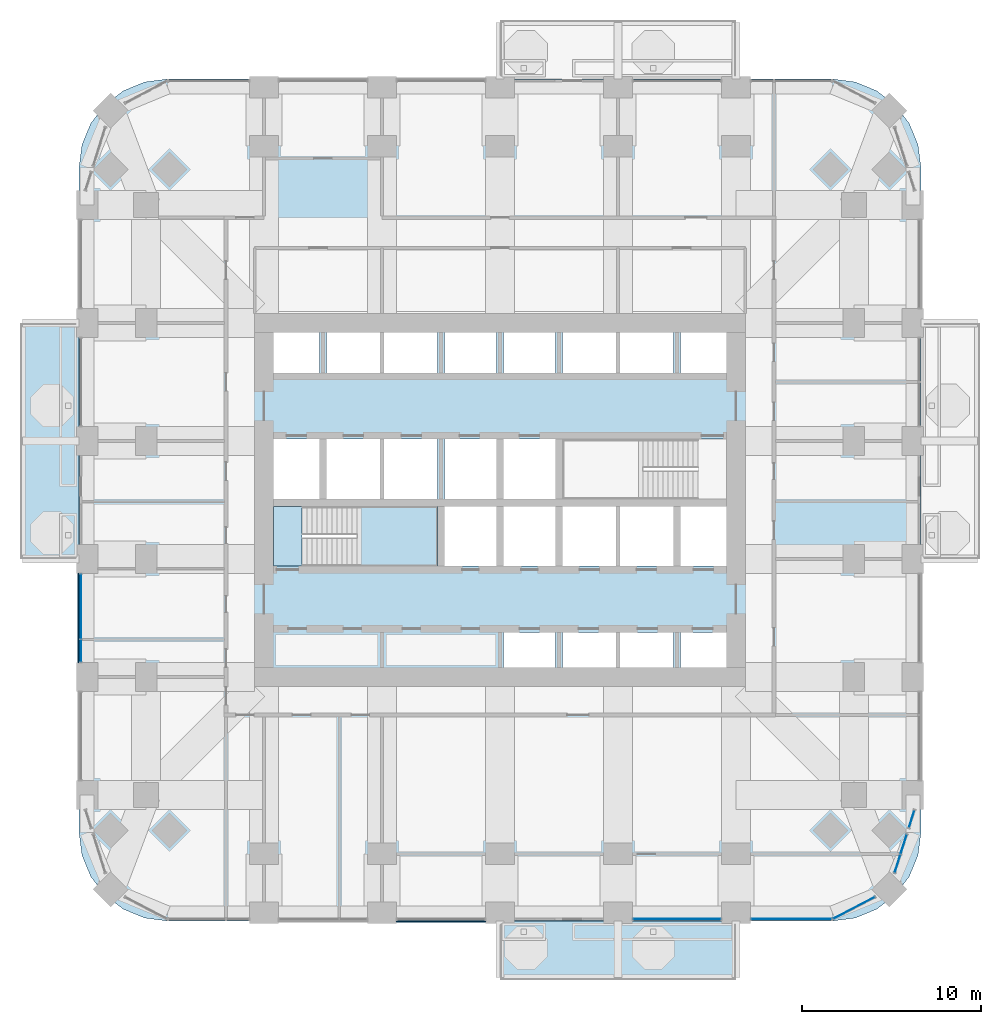
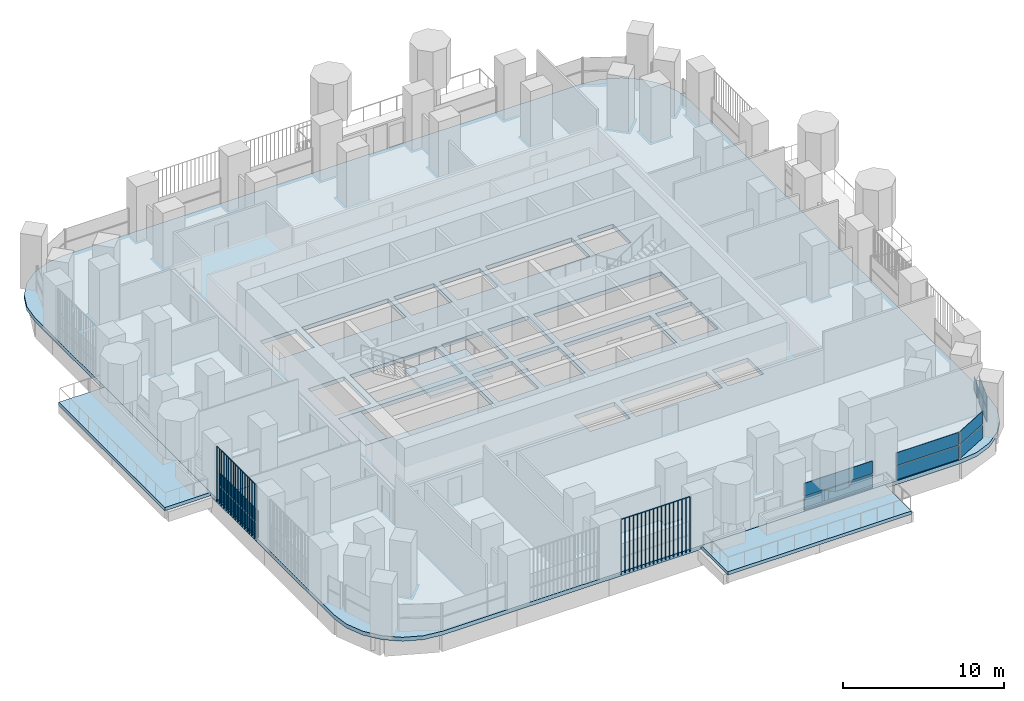
# One storey, part 10 of 22: 17 plates, 5 slabs, 7 elements without a shape of their own.
"""IFC4 building model written with IfcOpenShell, lengths in metres."""

from ifc_helpers import new_model, si_unit, direction, frame, origin, origin_2d, place, context, subcontext, project, spatial, polyline, rectangle, outline, extrude, material, layer, layer_set, type_object, element, aggregate, save


model = new_model("IFC4")

# Units and contexts
model_context = context("Model", 3, precision=1e-05, world=origin(), true_north=direction((0.0, 1.0)))
body_context = subcontext(model_context, "Body", "Model", "MODEL_VIEW")
ifc_project = project(units=[si_unit("LENGTHUNIT", "METRE"), si_unit("AREAUNIT", "SQUARE_METRE"), si_unit("VOLUMEUNIT", "CUBIC_METRE"), si_unit("PLANEANGLEUNIT", "RADIAN"), si_unit("MASSUNIT", "GRAM", prefix="KILO")], contexts=[model_context])

# Site, building, storey
site_placement = place(None, origin())
site = spatial("IfcSite", under=ifc_project, at=site_placement, CompositionType="ELEMENT")
building_placement = place(site_placement, origin())
building = spatial("IfcBuilding", under=site, at=building_placement, Name="Cobogo Forest Laboratory Tower", CompositionType="ELEMENT")
storey_placement = place(building_placement, frame((0.0, 0.0, 145.199951171875)))
storey = spatial("IfcBuildingStorey", under=building, at=storey_placement, Name="L33", CompositionType="ELEMENT", Elevation=145.199951171875)

# Slabs
ifc_material_1 = material(Name="Concrete HA-40 (C40/50)", Category="concrete")
ifc_layer_1 = layer(ifc_material_1, 0.25)
ifc_layer_set_1 = layer_set([ifc_layer_1], Name="Balcony slab 250")
slab_type_1 = type_object("IfcSlabType", Name="Balcony slab 250", PredefinedType="FLOOR", material=ifc_layer_set_1)
slab_1_placement = place(storey_placement, frame((0.0, 0.0, -0.25)))
element("IfcSlab", 1, at=slab_1_placement, inside=storey, type_object=slab_type_1, Name="Balcony BAL-S1 L33", PredefinedType="FLOOR", context=body_context, shape_type="SweptSolid", body=[
    extrude(outline(polyline([(26.39990234375, -3.75), (39.60009765625, -3.75), (39.60009765625, -0.449951171875), (26.39990234375, -0.449951171875), (26.39990234375, -3.75)])), origin(), (0.0, 0.0, 1.0), 0.25),
])
slab_2_placement = place(storey_placement, frame((0.0, 0.0, -0.25)))
element("IfcSlab", 2, at=slab_2_placement, inside=storey, type_object=slab_type_1, Name="Balcony BAL-W1 L33", PredefinedType="FLOOR", context=body_context, shape_type="SweptSolid", body=[
    extrude(outline(polyline([(-0.449951171875, 19.800048828125), (2.85009765625, 19.800048828125), (2.85009765625, 33.0), (-0.449951171875, 33.0), (-0.449951171875, 19.800048828125)])), origin(), (0.0, 0.0, 1.0), 0.25),
])
ifc_layer_2 = layer(ifc_material_1, 0.300048828125)
ifc_layer_set_2 = layer_set([ifc_layer_2], Name="Floor slab 300")
slab_type_2 = type_object("IfcSlabType", Name="Floor slab 300", PredefinedType="FLOOR", material=ifc_layer_set_2)
slab_3_placement = place(storey_placement, frame((0.0, 0.0, -0.300048828125)))
element("IfcSlab", 3, at=slab_3_placement, inside=storey, type_object=slab_type_2, Name="L33 floor slab", PredefinedType="FLOOR", context=body_context, shape_type="SweptSolid", body=[
    extrude(outline(polyline([(45.0, -0.449951171875), (46.28125, -0.28125), (47.47509765625, 0.213134765625), (48.500244140625, 0.999755859375), (49.286865234375, 2.02490234375), (49.78125, 3.21875), (49.949951171875, 4.5), (49.949951171875, 41.699951171875), (49.78125, 42.981201171875), (49.286865234375, 44.175048828125), (48.500244140625, 45.2001953125), (47.47509765625, 45.98681640625), (46.28125, 46.4814453125), (45.0, 46.64990234375), (7.800048828125, 46.64990234375), (6.518798828125, 46.4814453125), (5.324951171875, 45.98681640625), (4.2998046875, 45.2001953125), (3.51318359375, 44.175048828125), (3.0185546875, 42.981201171875), (2.85009765625, 41.699951171875), (2.85009765625, 4.5), (3.0185546875, 3.21875), (3.51318359375, 2.02490234375), (4.2998046875, 0.999755859375), (5.324951171875, 0.213134765625), (6.518798828125, -0.28125), (7.800048828125, -0.449951171875), (45.0, -0.449951171875)]), holes=[polyline([(29.5, 13.72509765625), (26.60009765625, 13.72509765625), (26.60009765625, 15.699951171875), (29.5, 15.699951171875), (29.5, 13.72509765625)]), polyline([(36.10009765625, 15.699951171875), (36.10009765625, 13.72509765625), (29.89990234375, 13.72509765625), (29.89990234375, 15.699951171875), (36.10009765625, 15.699951171875)]), polyline([(36.5, 13.72509765625), (36.5, 15.699951171875), (39.074951171875, 15.699951171875), (39.074951171875, 13.72509765625), (36.5, 13.72509765625)]), polyline([(13.72509765625, 19.39990234375), (13.72509765625, 22.75), (22.89990234375, 22.75), (22.89990234375, 19.39990234375), (13.72509765625, 19.39990234375)]), polyline([(23.300048828125, 19.39990234375), (23.300048828125, 22.75), (26.199951171875, 22.75), (26.199951171875, 19.39990234375), (23.300048828125, 19.39990234375)]), polyline([(29.5, 19.39990234375), (26.60009765625, 19.39990234375), (26.60009765625, 22.75), (29.5, 22.75), (29.5, 19.39990234375)]), polyline([(36.10009765625, 22.75), (36.10009765625, 19.39990234375), (29.89990234375, 19.39990234375), (29.89990234375, 22.75), (36.10009765625, 22.75)]), polyline([(39.074951171875, 19.39990234375), (36.5, 19.39990234375), (36.5, 22.75), (39.074951171875, 22.75), (39.074951171875, 19.39990234375)]), polyline([(16.300048828125, 23.14990234375), (13.72509765625, 23.14990234375), (13.72509765625, 26.5), (16.300048828125, 26.5), (16.300048828125, 23.14990234375)]), polyline([(22.89990234375, 26.5), (22.89990234375, 23.14990234375), (16.699951171875, 23.14990234375), (16.699951171875, 26.5), (22.89990234375, 26.5)]), polyline([(26.199951171875, 23.14990234375), (23.300048828125, 23.14990234375), (23.300048828125, 26.5), (26.199951171875, 26.5), (26.199951171875, 23.14990234375)]), polyline([(26.60009765625, 23.14990234375), (26.60009765625, 26.5), (29.5, 26.5), (29.5, 23.14990234375), (26.60009765625, 23.14990234375)]), polyline([(29.89990234375, 23.14990234375), (29.89990234375, 26.5), (39.074951171875, 26.5), (39.074951171875, 23.14990234375), (29.89990234375, 23.14990234375)]), polyline([(13.72509765625, 30.199951171875), (13.72509765625, 32.47509765625), (16.300048828125, 32.47509765625), (16.300048828125, 30.199951171875), (13.72509765625, 30.199951171875)]), polyline([(22.89990234375, 32.47509765625), (22.89990234375, 30.199951171875), (16.699951171875, 30.199951171875), (16.699951171875, 32.47509765625), (22.89990234375, 32.47509765625)]), polyline([(23.300048828125, 30.199951171875), (23.300048828125, 32.47509765625), (26.199951171875, 32.47509765625), (26.199951171875, 30.199951171875), (23.300048828125, 30.199951171875)]), polyline([(26.60009765625, 30.199951171875), (26.60009765625, 32.47509765625), (29.5, 32.47509765625), (29.5, 30.199951171875), (26.60009765625, 30.199951171875)]), polyline([(36.10009765625, 32.47509765625), (36.10009765625, 30.199951171875), (29.89990234375, 30.199951171875), (29.89990234375, 32.47509765625), (36.10009765625, 32.47509765625)]), polyline([(36.5, 30.199951171875), (36.5, 32.47509765625), (39.074951171875, 32.47509765625), (39.074951171875, 30.199951171875), (36.5, 30.199951171875)])]), origin(), (0.0, 0.0, 1.0), 0.300048828125),
])

# Curtain wall, plates
ifc_material_2 = material(Name="Aluminium curtain wall", Category="aluminium")
curtain_wall_type = type_object("IfcCurtainWallType", Name="CW-1 unitised curtain wall, clear glazing, laboratory floors zones A and B", PredefinedType="USERDEFINED", material=ifc_material_2)
curtain_wall_1_placement = place(storey_placement, origin())
curtain_wall_1 = element("IfcCurtainWall", 4, at=curtain_wall_1_placement, inside=storey, type_object=curtain_wall_type, Name="Curtain wall 05 L33", ObjectType="UNITISED CURTAIN WALL", PredefinedType="USERDEFINED")
ifc_material_3 = material(Name="Clear insulated glass", Category="glass")
ifc_layer_3 = layer(ifc_material_3, 0.028076171875)
ifc_layer_set_3 = layer_set([ifc_layer_3], Name="GP-1 clear insulated glass unit 28")
plate_type_1 = type_object("IfcPlateType", Name="GP-1 clear insulated glass unit 28", PredefinedType="CURTAIN_PANEL", material=ifc_layer_set_3)
plate_1_placement = place(storey_placement, frame((36.300048828125, -0.35009765625, 0.0), z_axis=(0.0, 0.0, 1.0), x_axis=(1.0, 0.0, 0.0)))
plate_1 = element("IfcPlate", 5, at=plate_1_placement, type_object=plate_type_1, Name="CW-1 panel 1.1", PredefinedType="CURTAIN_PANEL", context=body_context, shape_type="SweptSolid", body=[
    extrude(rectangle(XDim=4.8798828125, YDim=0.028076171875, at=origin_2d()), origin(), (0.0, 0.0, 1.0), 1.02001953125),
])
plate_2_placement = place(storey_placement, frame((36.300048828125, -0.35009765625, 1.080078125), z_axis=(0.0, 0.0, 1.0), x_axis=(1.0, 0.0, 0.0)))
plate_2 = element("IfcPlate", 6, at=plate_2_placement, type_object=plate_type_1, Name="CW-1 panel 1.2", PredefinedType="CURTAIN_PANEL", context=body_context, shape_type="SweptSolid", body=[
    extrude(rectangle(XDim=4.8798828125, YDim=0.028076171875, at=origin_2d()), origin(), (0.0, 0.0, 1.0), 0.969970703125),
])
aggregate(curtain_wall_1, [plate_1, plate_2])

curtain_wall_2_placement = place(storey_placement, origin())
curtain_wall_2 = element("IfcCurtainWall", 7, at=curtain_wall_2_placement, inside=storey, type_object=curtain_wall_type, Name="Curtain wall 06 L33", ObjectType="UNITISED CURTAIN WALL", PredefinedType="USERDEFINED")
plate_3_placement = place(storey_placement, frame((42.699951171875, -0.35009765625, 0.0), z_axis=(0.0, 0.0, 1.0), x_axis=(1.0, 0.0, 0.0)))
plate_3 = element("IfcPlate", 8, at=plate_3_placement, type_object=plate_type_1, Name="CW-1 panel 1.1", PredefinedType="CURTAIN_PANEL", context=body_context, shape_type="SweptSolid", body=[
    extrude(rectangle(XDim=4.47998046875, YDim=0.028076171875, at=origin_2d()), origin(), (0.0, 0.0, 1.0), 1.02001953125),
])
plate_4_placement = place(storey_placement, frame((42.699951171875, -0.35009765625, 1.080078125), z_axis=(0.0, 0.0, 1.0), x_axis=(1.0, 0.0, 0.0)))
plate_4 = element("IfcPlate", 9, at=plate_4_placement, type_object=plate_type_1, Name="CW-1 panel 1.2", PredefinedType="CURTAIN_PANEL", context=body_context, shape_type="SweptSolid", body=[
    extrude(rectangle(XDim=4.47998046875, YDim=0.028076171875, at=origin_2d()), origin(), (0.0, 0.0, 1.0), 0.969970703125),
])
aggregate(curtain_wall_2, [plate_3, plate_4])

curtain_wall_3_placement = place(storey_placement, origin())
curtain_wall_3 = element("IfcCurtainWall", 10, at=curtain_wall_3_placement, inside=storey, type_object=curtain_wall_type, Name="Curtain wall 07 L33", ObjectType="UNITISED CURTAIN WALL", PredefinedType="USERDEFINED")
plate_5_placement = place(storey_placement, frame((46.2060546875, 0.2822265625, 0.0), z_axis=(0.0, 0.0, 1.0), x_axis=(0.885686540666, 0.464283697413, 0.0)))
plate_5 = element("IfcPlate", 11, at=plate_5_placement, type_object=plate_type_1, Name="CW-1 panel 1.1", PredefinedType="CURTAIN_PANEL", context=body_context, shape_type="SweptSolid", body=[
    extrude(rectangle(XDim=2.603271484375, YDim=0.028076171875, at=origin_2d()), origin(), (0.0, 0.0, 1.0), 1.02001953125),
])
plate_6_placement = place(storey_placement, frame((46.2060546875, 0.2822265625, 1.080078125), z_axis=(0.0, 0.0, 1.0), x_axis=(0.885686540666, 0.464283697413, 0.0)))
plate_6 = element("IfcPlate", 12, at=plate_6_placement, type_object=plate_type_1, Name="CW-1 panel 1.2", PredefinedType="CURTAIN_PANEL", context=body_context, shape_type="SweptSolid", body=[
    extrude(rectangle(XDim=2.603271484375, YDim=0.028076171875, at=origin_2d()), origin(), (0.0, 0.0, 1.0), 0.969970703125),
])
aggregate(curtain_wall_3, [plate_5, plate_6])

curtain_wall_4_placement = place(storey_placement, origin())
curtain_wall_4 = element("IfcCurtainWall", 13, at=curtain_wall_4_placement, inside=storey, type_object=curtain_wall_type, Name="Curtain wall 08 L33", ObjectType="UNITISED CURTAIN WALL", PredefinedType="USERDEFINED")
plate_7_placement = place(storey_placement, frame((48.636474609375, 2.75732421875, 0.0), z_axis=(0.0, 0.0, 1.0), x_axis=(0.301135343623, 0.953581409645, 0.0)))
plate_7 = element("IfcPlate", 14, at=plate_7_placement, type_object=plate_type_1, Name="CW-1 panel 1.1", PredefinedType="CURTAIN_PANEL", context=body_context, shape_type="SweptSolid", body=[
    extrude(rectangle(XDim=1.027587890625, YDim=0.028076171875, at=origin_2d()), origin(), (0.0, 0.0, 1.0), 1.02001953125),
])
plate_8_placement = place(storey_placement, frame((48.636474609375, 2.75732421875, 1.080078125), z_axis=(0.0, 0.0, 1.0), x_axis=(0.301135343623, 0.953581409645, 0.0)))
plate_8 = element("IfcPlate", 15, at=plate_8_placement, type_object=plate_type_1, Name="CW-1 panel 1.2", PredefinedType="CURTAIN_PANEL", context=body_context, shape_type="SweptSolid", body=[
    extrude(rectangle(XDim=1.027587890625, YDim=0.028076171875, at=origin_2d()), origin(), (0.0, 0.0, 1.0), 0.969970703125),
])
plate_9_placement = place(storey_placement, frame((48.977294921875, 3.83642578125, 0.0), z_axis=(0.0, 0.0, 1.0), x_axis=(0.301135343623, 0.953581409645, 0.0)))
plate_9 = element("IfcPlate", 16, at=plate_9_placement, type_object=plate_type_1, Name="CW-1 panel 2.1", PredefinedType="CURTAIN_PANEL", context=body_context, shape_type="SweptSolid", body=[
    extrude(rectangle(XDim=1.11572265625, YDim=0.028076171875, at=origin_2d()), origin(), (0.0, 0.0, 1.0), 1.02001953125),
])
plate_10_placement = place(storey_placement, frame((48.977294921875, 3.83642578125, 1.080078125), z_axis=(0.0, 0.0, 1.0), x_axis=(0.301135343623, 0.953581409645, 0.0)))
plate_10 = element("IfcPlate", 17, at=plate_10_placement, type_object=plate_type_1, Name="CW-1 panel 2.2", PredefinedType="CURTAIN_PANEL", context=body_context, shape_type="SweptSolid", body=[
    extrude(rectangle(XDim=1.11572265625, YDim=0.028076171875, at=origin_2d()), origin(), (0.0, 0.0, 1.0), 0.969970703125),
])
aggregate(curtain_wall_4, [plate_7, plate_8, plate_9, plate_10])

# Curtain wall, plate
curtain_wall_5_placement = place(storey_placement, origin())
curtain_wall_5 = element("IfcCurtainWall", 18, at=curtain_wall_5_placement, inside=storey, type_object=curtain_wall_type, Name="Curtain wall 09 L33", ObjectType="UNITISED CURTAIN WALL", PredefinedType="USERDEFINED")
plate_11_placement = place(storey_placement, frame((49.426513671875, 5.259033203125, 0.0), z_axis=(0.0, 0.0, 1.0), x_axis=(0.3011355018, 0.953581359694, 0.0)))
plate_11 = element("IfcPlate", 19, at=plate_11_placement, type_object=plate_type_1, Name="CW-1 panel 1.1", PredefinedType="CURTAIN_PANEL", context=body_context, shape_type="SweptSolid", body=[
    extrude(rectangle(XDim=1.0146484375, YDim=0.028076171875, at=origin_2d()), origin(), (0.0, 0.0, 1.0), 1.02001953125),
])
aggregate(curtain_wall_5, [plate_11])

# Curtain wall, plates
curtain_wall_6_placement = place(storey_placement, origin())
curtain_wall_6 = element("IfcCurtainWall", 20, at=curtain_wall_6_placement, inside=storey, type_object=curtain_wall_type, Name="Curtain wall 30 L33", ObjectType="UNITISED CURTAIN WALL", PredefinedType="USERDEFINED")
plate_12_placement = place(storey_placement, frame((2.949951171875, 17.135009765625, 0.0), z_axis=(0.0, 0.0, 1.0), x_axis=(0.0, -1.0, 0.0)))
plate_12 = element("IfcPlate", 21, at=plate_12_placement, type_object=plate_type_1, Name="CW-1 panel 1.1", PredefinedType="CURTAIN_PANEL", context=body_context, shape_type="SweptSolid", body=[
    extrude(rectangle(XDim=3.610107421875, YDim=0.028076171875, at=origin_2d()), origin(), (0.0, 0.0, 1.0), 1.02001953125),
])
plate_13_placement = place(storey_placement, frame((2.949951171875, 17.135009765625, 1.080078125), z_axis=(0.0, 0.0, 1.0), x_axis=(0.0, -1.0, 0.0)))
plate_13 = element("IfcPlate", 22, at=plate_13_placement, type_object=plate_type_1, Name="CW-1 panel 1.2", PredefinedType="CURTAIN_PANEL", context=body_context, shape_type="SweptSolid", body=[
    extrude(rectangle(XDim=3.610107421875, YDim=0.028076171875, at=origin_2d()), origin(), (0.0, 0.0, 1.0), 0.969970703125),
])
plate_14_placement = place(storey_placement, frame((2.949951171875, 14.6650390625, 0.0), z_axis=(0.0, 0.0, 1.0), x_axis=(0.0, -1.0, 0.0)))
plate_14 = element("IfcPlate", 23, at=plate_14_placement, type_object=plate_type_1, Name="CW-1 panel 2.1", PredefinedType="CURTAIN_PANEL", context=body_context, shape_type="SweptSolid", body=[
    extrude(rectangle(XDim=1.2099609375, YDim=0.028076171875, at=origin_2d()), origin(), (0.0, 0.0, 1.0), 1.02001953125),
])
plate_15_placement = place(storey_placement, frame((2.949951171875, 14.6650390625, 1.080078125), z_axis=(0.0, 0.0, 1.0), x_axis=(0.0, -1.0, 0.0)))
plate_15 = element("IfcPlate", 24, at=plate_15_placement, type_object=plate_type_1, Name="CW-1 panel 2.2", PredefinedType="CURTAIN_PANEL", context=body_context, shape_type="SweptSolid", body=[
    extrude(rectangle(XDim=1.2099609375, YDim=0.028076171875, at=origin_2d()), origin(), (0.0, 0.0, 1.0), 0.969970703125),
])
aggregate(curtain_wall_6, [plate_12, plate_13, plate_14, plate_15])

# Stair, slabs
ifc_material_4 = material(Name="Precast concrete HA-40 (C40/50)", Category="concrete")
stair_type = type_object("IfcStairType", Name="ST24 exit stair 24 risers", PredefinedType="HALF_TURN_STAIR", material=ifc_material_4)
stair_placement = place(storey_placement, origin())
stair = element("IfcStair", 25, at=stair_placement, inside=storey, type_object=stair_type, Name="Stair 1 L33 to L34", PredefinedType="HALF_TURN_STAIR")
ifc_layer_4 = layer(ifc_material_1, 0.199951171875)
ifc_layer_set_4 = layer_set([ifc_layer_4], Name="SL stair landing 200")
slab_type_3 = type_object("IfcSlabType", Name="SL stair landing 200", PredefinedType="LANDING", material=ifc_layer_set_4)
slab_4_placement = place(storey_placement, frame((0.0, 0.0, -0.199951171875)))
slab_4 = element("IfcSlab", 26, at=slab_4_placement, type_object=slab_type_3, Name="ST1 landing 1", PredefinedType="LANDING", context=body_context, shape_type="SweptSolid", body=[
    extrude(outline(polyline([(13.72509765625, 19.39990234375), (15.326904296875, 19.39990234375), (15.326904296875, 22.75), (13.72509765625, 22.75), (13.72509765625, 19.39990234375)])), origin(), (0.0, 0.0, 1.0), 0.199951171875),
])
slab_5_placement = place(storey_placement, frame((0.0, 0.0, 1.900146484375)))
slab_5 = element("IfcSlab", 27, at=slab_5_placement, type_object=slab_type_3, Name="ST1 landing 2", PredefinedType="LANDING", context=body_context, shape_type="SweptSolid", body=[
    extrude(outline(polyline([(18.403076171875, 19.39990234375), (22.89990234375, 19.39990234375), (22.89990234375, 22.75), (18.403076171875, 22.75), (18.403076171875, 19.39990234375)])), origin(), (0.0, 0.0, 1.0), 0.199951171875),
])
aggregate(stair, [slab_4, slab_5])

# Plates
ifc_material_5 = material(Name="Terracotta", Category="masonry")
plate_type_2 = type_object("IfcPlateType", Name="TB1 terracotta baguette screen", PredefinedType="USERDEFINED", material=ifc_material_5)
plate_16_placement = place(storey_placement, frame((20.63134765625, -0.477783203125, -0.14990234375)))
element("IfcPlate", 28, at=plate_16_placement, inside=storey, type_object=plate_type_2, Name="Baguette screen S2 L33", ObjectType="BAGUETTE SCREEN", PredefinedType="USERDEFINED", context=body_context, shape_type="SweptSolid", body=[
    extrude(outline(polyline([(0.02880859375, 0.011962890625), (0.011962890625, 0.02880859375), (-0.011962890625, 0.02880859375), (-0.02880859375, 0.011962890625), (-0.02880859375, -0.011962890625), (-0.011962890625, -0.02880859375), (0.011962890625, -0.02880859375), (0.02880859375, -0.011962890625), (0.02880859375, 0.011962890625)])), frame((0.0, 0.0, 4.168701171875), z_axis=(1.0, 0.0, 0.0), x_axis=(0.0, 1.0, 0.0)), (0.0, 0.0, 1.0), 4.9375),
    extrude(outline(polyline([(0.02880859375, 0.011962890625), (0.011962890625, 0.02880859375), (-0.011962890625, 0.02880859375), (-0.02880859375, 0.011962890625), (-0.02880859375, -0.011962890625), (-0.011962890625, -0.02880859375), (0.011962890625, -0.02880859375), (0.02880859375, -0.011962890625), (0.02880859375, 0.011962890625)])), origin(), (0.0, 0.0, 1.0), 4.137451171875),
    extrude(outline(polyline([(0.02880859375, 0.011962890625), (0.011962890625, 0.02880859375), (-0.011962890625, 0.02880859375), (-0.02880859375, 0.011962890625), (-0.02880859375, -0.011962890625), (-0.011962890625, -0.02880859375), (0.011962890625, -0.02880859375), (0.02880859375, -0.011962890625), (0.02880859375, 0.011962890625)])), frame((0.29052734375, 0.0, 0.0)), (0.0, 0.0, 1.0), 4.137451171875),
    extrude(outline(polyline([(0.02880859375, 0.011962890625), (0.011962890625, 0.02880859375), (-0.011962890625, 0.02880859375), (-0.02880859375, 0.011962890625), (-0.02880859375, -0.011962890625), (-0.011962890625, -0.02880859375), (0.011962890625, -0.02880859375), (0.02880859375, -0.011962890625), (0.02880859375, 0.011962890625)])), frame((0.580810546875, 0.0, 0.0)), (0.0, 0.0, 1.0), 4.137451171875),
    extrude(outline(polyline([(0.02880859375, 0.011962890625), (0.011962890625, 0.02880859375), (-0.011962890625, 0.02880859375), (-0.02880859375, 0.011962890625), (-0.02880859375, -0.011962890625), (-0.011962890625, -0.02880859375), (0.011962890625, -0.02880859375), (0.02880859375, -0.011962890625), (0.02880859375, 0.011962890625)])), frame((0.871337890625, 0.0, 0.0)), (0.0, 0.0, 1.0), 4.137451171875),
    extrude(outline(polyline([(0.02880859375, 0.011962890625), (0.011962890625, 0.02880859375), (-0.011962890625, 0.02880859375), (-0.02880859375, 0.011962890625), (-0.02880859375, -0.011962890625), (-0.011962890625, -0.02880859375), (0.011962890625, -0.02880859375), (0.02880859375, -0.011962890625), (0.02880859375, 0.011962890625)])), frame((1.161865234375, 0.0, 0.0)), (0.0, 0.0, 1.0), 4.137451171875),
    extrude(outline(polyline([(0.02880859375, 0.011962890625), (0.011962890625, 0.02880859375), (-0.011962890625, 0.02880859375), (-0.02880859375, 0.011962890625), (-0.02880859375, -0.011962890625), (-0.011962890625, -0.02880859375), (0.011962890625, -0.02880859375), (0.02880859375, -0.011962890625), (0.02880859375, 0.011962890625)])), frame((1.4521484375, 0.0, 0.0)), (0.0, 0.0, 1.0), 4.137451171875),
    extrude(outline(polyline([(0.02880859375, 0.011962890625), (0.011962890625, 0.02880859375), (-0.011962890625, 0.02880859375), (-0.02880859375, 0.011962890625), (-0.02880859375, -0.011962890625), (-0.011962890625, -0.02880859375), (0.011962890625, -0.02880859375), (0.02880859375, -0.011962890625), (0.02880859375, 0.011962890625)])), frame((1.74267578125, 0.0, 0.0)), (0.0, 0.0, 1.0), 4.137451171875),
    extrude(outline(polyline([(0.02880859375, 0.011962890625), (0.011962890625, 0.02880859375), (-0.011962890625, 0.02880859375), (-0.02880859375, 0.011962890625), (-0.02880859375, -0.011962890625), (-0.011962890625, -0.02880859375), (0.011962890625, -0.02880859375), (0.02880859375, -0.011962890625), (0.02880859375, 0.011962890625)])), frame((2.033203125, 0.0, 0.0)), (0.0, 0.0, 1.0), 4.137451171875),
    extrude(outline(polyline([(0.02880859375, 0.011962890625), (0.011962890625, 0.02880859375), (-0.011962890625, 0.02880859375), (-0.02880859375, 0.011962890625), (-0.02880859375, -0.011962890625), (-0.011962890625, -0.02880859375), (0.011962890625, -0.02880859375), (0.02880859375, -0.011962890625), (0.02880859375, 0.011962890625)])), frame((2.323486328125, 0.0, 0.0)), (0.0, 0.0, 1.0), 4.137451171875),
    extrude(outline(polyline([(0.02880859375, 0.011962890625), (0.011962890625, 0.02880859375), (-0.011962890625, 0.02880859375), (-0.02880859375, 0.011962890625), (-0.02880859375, -0.011962890625), (-0.011962890625, -0.02880859375), (0.011962890625, -0.02880859375), (0.02880859375, -0.011962890625), (0.02880859375, 0.011962890625)])), frame((2.614013671875, 0.0, 0.0)), (0.0, 0.0, 1.0), 4.137451171875),
    extrude(outline(polyline([(0.02880859375, 0.011962890625), (0.011962890625, 0.02880859375), (-0.011962890625, 0.02880859375), (-0.02880859375, 0.011962890625), (-0.02880859375, -0.011962890625), (-0.011962890625, -0.02880859375), (0.011962890625, -0.02880859375), (0.02880859375, -0.011962890625), (0.02880859375, 0.011962890625)])), frame((2.904296875, 0.0, 0.0)), (0.0, 0.0, 1.0), 4.137451171875),
    extrude(outline(polyline([(0.02880859375, 0.011962890625), (0.011962890625, 0.02880859375), (-0.011962890625, 0.02880859375), (-0.02880859375, 0.011962890625), (-0.02880859375, -0.011962890625), (-0.011962890625, -0.02880859375), (0.011962890625, -0.02880859375), (0.02880859375, -0.011962890625), (0.02880859375, 0.011962890625)])), frame((3.19482421875, 0.0, 0.0)), (0.0, 0.0, 1.0), 4.137451171875),
    extrude(outline(polyline([(0.02880859375, 0.011962890625), (0.011962890625, 0.02880859375), (-0.011962890625, 0.02880859375), (-0.02880859375, 0.011962890625), (-0.02880859375, -0.011962890625), (-0.011962890625, -0.02880859375), (0.011962890625, -0.02880859375), (0.02880859375, -0.011962890625), (0.02880859375, 0.011962890625)])), frame((3.4853515625, 0.0, 0.0)), (0.0, 0.0, 1.0), 4.137451171875),
    extrude(outline(polyline([(0.02880859375, 0.011962890625), (0.011962890625, 0.02880859375), (-0.011962890625, 0.02880859375), (-0.02880859375, 0.011962890625), (-0.02880859375, -0.011962890625), (-0.011962890625, -0.02880859375), (0.011962890625, -0.02880859375), (0.02880859375, -0.011962890625), (0.02880859375, 0.011962890625)])), frame((3.775634765625, 0.0, 0.0)), (0.0, 0.0, 1.0), 4.137451171875),
    extrude(outline(polyline([(0.02880859375, 0.011962890625), (0.011962890625, 0.02880859375), (-0.011962890625, 0.02880859375), (-0.02880859375, 0.011962890625), (-0.02880859375, -0.011962890625), (-0.011962890625, -0.02880859375), (0.011962890625, -0.02880859375), (0.02880859375, -0.011962890625), (0.02880859375, 0.011962890625)])), frame((4.066162109375, 0.0, 0.0)), (0.0, 0.0, 1.0), 4.137451171875),
    extrude(outline(polyline([(0.02880859375, 0.011962890625), (0.011962890625, 0.02880859375), (-0.011962890625, 0.02880859375), (-0.02880859375, 0.011962890625), (-0.02880859375, -0.011962890625), (-0.011962890625, -0.02880859375), (0.011962890625, -0.02880859375), (0.02880859375, -0.011962890625), (0.02880859375, 0.011962890625)])), frame((4.356689453125, 0.0, 0.0)), (0.0, 0.0, 1.0), 4.137451171875),
    extrude(outline(polyline([(0.02880859375, 0.011962890625), (0.011962890625, 0.02880859375), (-0.011962890625, 0.02880859375), (-0.02880859375, 0.011962890625), (-0.02880859375, -0.011962890625), (-0.011962890625, -0.02880859375), (0.011962890625, -0.02880859375), (0.02880859375, -0.011962890625), (0.02880859375, 0.011962890625)])), frame((4.64697265625, 0.0, 0.0)), (0.0, 0.0, 1.0), 4.137451171875),
    extrude(outline(polyline([(0.02880859375, 0.011962890625), (0.011962890625, 0.02880859375), (-0.011962890625, 0.02880859375), (-0.02880859375, 0.011962890625), (-0.02880859375, -0.011962890625), (-0.011962890625, -0.02880859375), (0.011962890625, -0.02880859375), (0.02880859375, -0.011962890625), (0.02880859375, 0.011962890625)])), frame((4.9375, 0.0, 0.0)), (0.0, 0.0, 1.0), 4.137451171875),
])
plate_17_placement = place(storey_placement, frame((2.822021484375, 14.03125, -0.14990234375)))
element("IfcPlate", 29, at=plate_17_placement, inside=storey, type_object=plate_type_2, Name="Baguette screen W2 L33", ObjectType="BAGUETTE SCREEN", PredefinedType="USERDEFINED", context=body_context, shape_type="SweptSolid", body=[
    extrude(outline(polyline([(0.02880859375, 0.011962890625), (0.011962890625, 0.02880859375), (-0.011962890625, 0.02880859375), (-0.02880859375, 0.011962890625), (-0.02880859375, -0.011962890625), (-0.011962890625, -0.02880859375), (0.011962890625, -0.02880859375), (0.02880859375, -0.011962890625), (0.02880859375, 0.011962890625)])), frame((0.0, 0.0, 4.168701171875), z_axis=(0.0, 1.0, 0.0), x_axis=(-1.0, 0.0, 0.0)), (0.0, 0.0, 1.0), 4.9375),
    extrude(outline(polyline([(0.02880859375, 0.011962890625), (0.011962890625, 0.02880859375), (-0.011962890625, 0.02880859375), (-0.02880859375, 0.011962890625), (-0.02880859375, -0.011962890625), (-0.011962890625, -0.02880859375), (0.011962890625, -0.02880859375), (0.02880859375, -0.011962890625), (0.02880859375, 0.011962890625)])), origin(), (0.0, 0.0, 1.0), 4.137451171875),
    extrude(outline(polyline([(0.02880859375, 0.011962890625), (0.011962890625, 0.02880859375), (-0.011962890625, 0.02880859375), (-0.02880859375, 0.011962890625), (-0.02880859375, -0.011962890625), (-0.011962890625, -0.02880859375), (0.011962890625, -0.02880859375), (0.02880859375, -0.011962890625), (0.02880859375, 0.011962890625)])), frame((0.0, 0.29052734375, 0.0)), (0.0, 0.0, 1.0), 4.137451171875),
    extrude(outline(polyline([(0.02880859375, 0.011962890625), (0.011962890625, 0.02880859375), (-0.011962890625, 0.02880859375), (-0.02880859375, 0.011962890625), (-0.02880859375, -0.011962890625), (-0.011962890625, -0.02880859375), (0.011962890625, -0.02880859375), (0.02880859375, -0.011962890625), (0.02880859375, 0.011962890625)])), frame((0.0, 0.580810546875, 0.0)), (0.0, 0.0, 1.0), 4.137451171875),
    extrude(outline(polyline([(0.02880859375, 0.011962890625), (0.011962890625, 0.02880859375), (-0.011962890625, 0.02880859375), (-0.02880859375, 0.011962890625), (-0.02880859375, -0.011962890625), (-0.011962890625, -0.02880859375), (0.011962890625, -0.02880859375), (0.02880859375, -0.011962890625), (0.02880859375, 0.011962890625)])), frame((0.0, 0.871337890625, 0.0)), (0.0, 0.0, 1.0), 4.137451171875),
    extrude(outline(polyline([(0.02880859375, 0.011962890625), (0.011962890625, 0.02880859375), (-0.011962890625, 0.02880859375), (-0.02880859375, 0.011962890625), (-0.02880859375, -0.011962890625), (-0.011962890625, -0.02880859375), (0.011962890625, -0.02880859375), (0.02880859375, -0.011962890625), (0.02880859375, 0.011962890625)])), frame((0.0, 1.161865234375, 0.0)), (0.0, 0.0, 1.0), 4.137451171875),
    extrude(outline(polyline([(0.02880859375, 0.011962890625), (0.011962890625, 0.02880859375), (-0.011962890625, 0.02880859375), (-0.02880859375, 0.011962890625), (-0.02880859375, -0.011962890625), (-0.011962890625, -0.02880859375), (0.011962890625, -0.02880859375), (0.02880859375, -0.011962890625), (0.02880859375, 0.011962890625)])), frame((0.0, 1.4521484375, 0.0)), (0.0, 0.0, 1.0), 4.137451171875),
    extrude(outline(polyline([(0.02880859375, 0.011962890625), (0.011962890625, 0.02880859375), (-0.011962890625, 0.02880859375), (-0.02880859375, 0.011962890625), (-0.02880859375, -0.011962890625), (-0.011962890625, -0.02880859375), (0.011962890625, -0.02880859375), (0.02880859375, -0.011962890625), (0.02880859375, 0.011962890625)])), frame((0.0, 1.74267578125, 0.0)), (0.0, 0.0, 1.0), 4.137451171875),
    extrude(outline(polyline([(0.02880859375, 0.011962890625), (0.011962890625, 0.02880859375), (-0.011962890625, 0.02880859375), (-0.02880859375, 0.011962890625), (-0.02880859375, -0.011962890625), (-0.011962890625, -0.02880859375), (0.011962890625, -0.02880859375), (0.02880859375, -0.011962890625), (0.02880859375, 0.011962890625)])), frame((0.0, 2.033203125, 0.0)), (0.0, 0.0, 1.0), 4.137451171875),
    extrude(outline(polyline([(0.02880859375, 0.011962890625), (0.011962890625, 0.02880859375), (-0.011962890625, 0.02880859375), (-0.02880859375, 0.011962890625), (-0.02880859375, -0.011962890625), (-0.011962890625, -0.02880859375), (0.011962890625, -0.02880859375), (0.02880859375, -0.011962890625), (0.02880859375, 0.011962890625)])), frame((0.0, 2.323486328125, 0.0)), (0.0, 0.0, 1.0), 4.137451171875),
    extrude(outline(polyline([(0.02880859375, 0.011962890625), (0.011962890625, 0.02880859375), (-0.011962890625, 0.02880859375), (-0.02880859375, 0.011962890625), (-0.02880859375, -0.011962890625), (-0.011962890625, -0.02880859375), (0.011962890625, -0.02880859375), (0.02880859375, -0.011962890625), (0.02880859375, 0.011962890625)])), frame((0.0, 2.614013671875, 0.0)), (0.0, 0.0, 1.0), 4.137451171875),
    extrude(outline(polyline([(0.02880859375, 0.011962890625), (0.011962890625, 0.02880859375), (-0.011962890625, 0.02880859375), (-0.02880859375, 0.011962890625), (-0.02880859375, -0.011962890625), (-0.011962890625, -0.02880859375), (0.011962890625, -0.02880859375), (0.02880859375, -0.011962890625), (0.02880859375, 0.011962890625)])), frame((0.0, 2.904296875, 0.0)), (0.0, 0.0, 1.0), 4.137451171875),
    extrude(outline(polyline([(0.02880859375, 0.011962890625), (0.011962890625, 0.02880859375), (-0.011962890625, 0.02880859375), (-0.02880859375, 0.011962890625), (-0.02880859375, -0.011962890625), (-0.011962890625, -0.02880859375), (0.011962890625, -0.02880859375), (0.02880859375, -0.011962890625), (0.02880859375, 0.011962890625)])), frame((0.0, 3.19482421875, 0.0)), (0.0, 0.0, 1.0), 4.137451171875),
    extrude(outline(polyline([(0.02880859375, 0.011962890625), (0.011962890625, 0.02880859375), (-0.011962890625, 0.02880859375), (-0.02880859375, 0.011962890625), (-0.02880859375, -0.011962890625), (-0.011962890625, -0.02880859375), (0.011962890625, -0.02880859375), (0.02880859375, -0.011962890625), (0.02880859375, 0.011962890625)])), frame((0.0, 3.4853515625, 0.0)), (0.0, 0.0, 1.0), 4.137451171875),
    extrude(outline(polyline([(0.02880859375, 0.011962890625), (0.011962890625, 0.02880859375), (-0.011962890625, 0.02880859375), (-0.02880859375, 0.011962890625), (-0.02880859375, -0.011962890625), (-0.011962890625, -0.02880859375), (0.011962890625, -0.02880859375), (0.02880859375, -0.011962890625), (0.02880859375, 0.011962890625)])), frame((0.0, 3.775634765625, 0.0)), (0.0, 0.0, 1.0), 4.137451171875),
    extrude(outline(polyline([(0.02880859375, 0.011962890625), (0.011962890625, 0.02880859375), (-0.011962890625, 0.02880859375), (-0.02880859375, 0.011962890625), (-0.02880859375, -0.011962890625), (-0.011962890625, -0.02880859375), (0.011962890625, -0.02880859375), (0.02880859375, -0.011962890625), (0.02880859375, 0.011962890625)])), frame((0.0, 4.066162109375, 0.0)), (0.0, 0.0, 1.0), 4.137451171875),
    extrude(outline(polyline([(0.02880859375, 0.011962890625), (0.011962890625, 0.02880859375), (-0.011962890625, 0.02880859375), (-0.02880859375, 0.011962890625), (-0.02880859375, -0.011962890625), (-0.011962890625, -0.02880859375), (0.011962890625, -0.02880859375), (0.02880859375, -0.011962890625), (0.02880859375, 0.011962890625)])), frame((0.0, 4.356689453125, 0.0)), (0.0, 0.0, 1.0), 4.137451171875),
    extrude(outline(polyline([(0.02880859375, 0.011962890625), (0.011962890625, 0.02880859375), (-0.011962890625, 0.02880859375), (-0.02880859375, 0.011962890625), (-0.02880859375, -0.011962890625), (-0.011962890625, -0.02880859375), (0.011962890625, -0.02880859375), (0.02880859375, -0.011962890625), (0.02880859375, 0.011962890625)])), frame((0.0, 4.64697265625, 0.0)), (0.0, 0.0, 1.0), 4.137451171875),
    extrude(outline(polyline([(0.02880859375, 0.011962890625), (0.011962890625, 0.02880859375), (-0.011962890625, 0.02880859375), (-0.02880859375, 0.011962890625), (-0.02880859375, -0.011962890625), (-0.011962890625, -0.02880859375), (0.011962890625, -0.02880859375), (0.02880859375, -0.011962890625), (0.02880859375, 0.011962890625)])), frame((0.0, 4.9375, 0.0)), (0.0, 0.0, 1.0), 4.137451171875),
])

save(model, "model.ifc")
